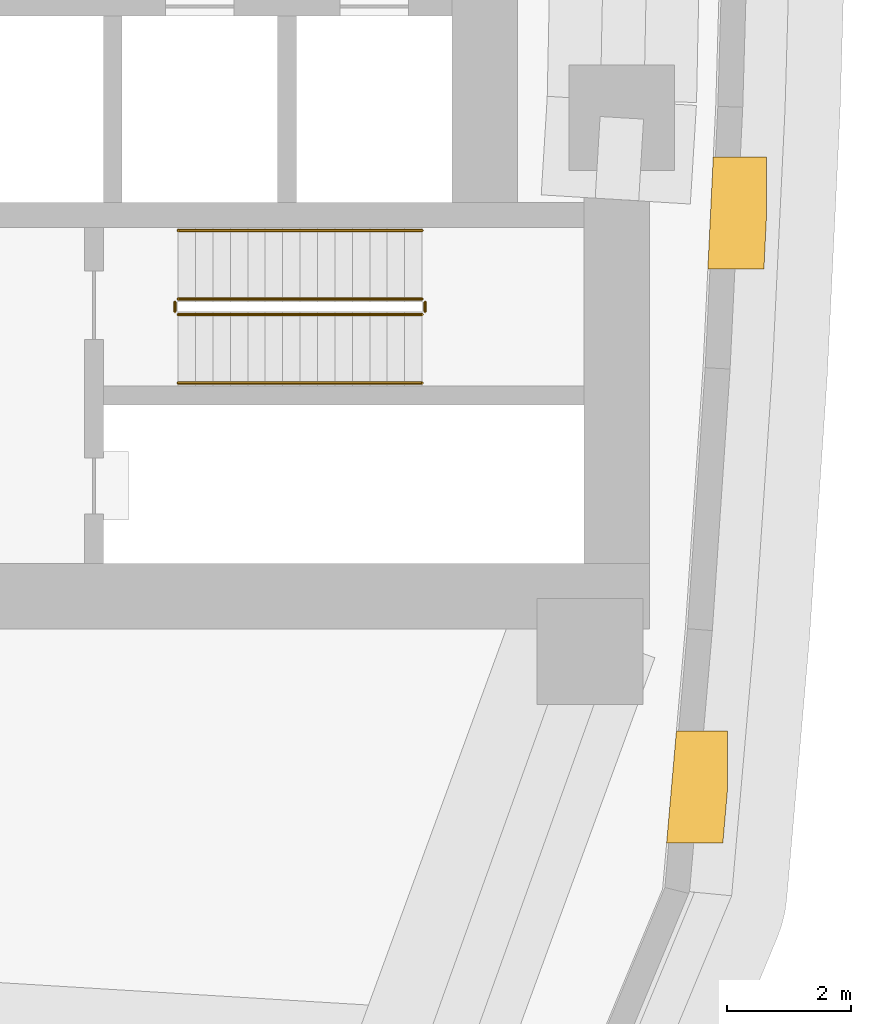
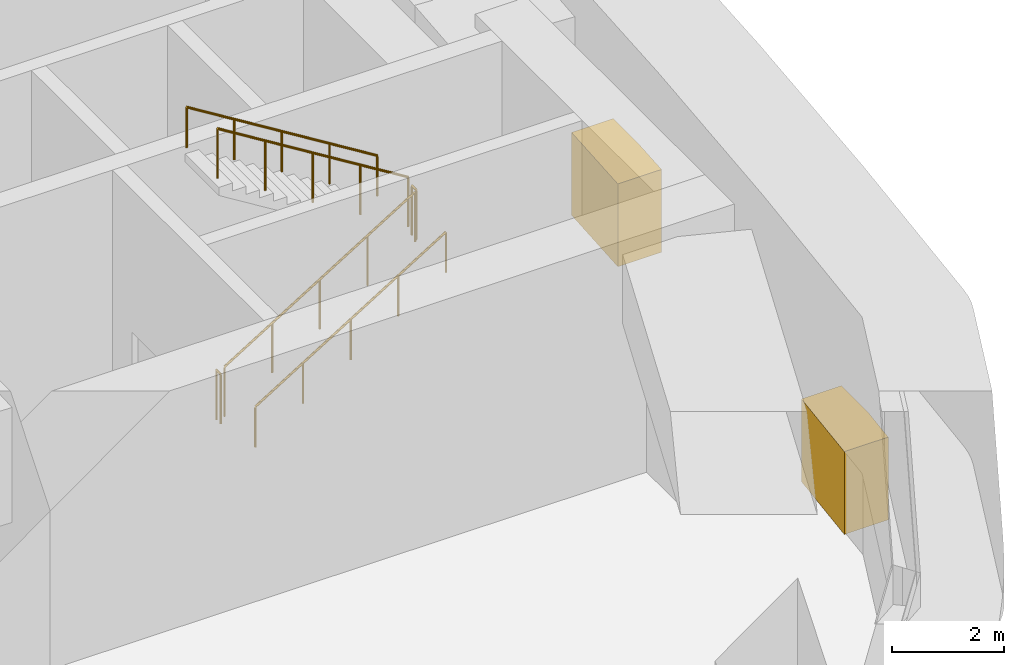
# One storey, part 16 of 19: 6 railings, 2 coverings.
"""IFC4 building model written with IfcOpenShell, lengths in metres."""

from ifc_helpers import new_model, si_unit, direction, frame, origin, origin_2d, place, context, subcontext, project, spatial, polyline, circle, outline, extrude, material, layer, layer_set, type_object, element, save


model = new_model("IFC4")

# Units and contexts
model_context = context("Model", 3, precision=1e-05, world=origin(), true_north=direction((0.0, 1.0)))
body_context = subcontext(model_context, "Body", "Model", "MODEL_VIEW")
ifc_project = project(units=[si_unit("LENGTHUNIT", "METRE"), si_unit("AREAUNIT", "SQUARE_METRE"), si_unit("VOLUMEUNIT", "CUBIC_METRE"), si_unit("PLANEANGLEUNIT", "RADIAN"), si_unit("MASSUNIT", "GRAM", prefix="KILO")], contexts=[model_context])

# Site, building, storey
site_placement = place(None, origin())
site = spatial("IfcSite", under=ifc_project, at=site_placement, CompositionType="ELEMENT")
building_placement = place(site_placement, origin())
building = spatial("IfcBuilding", under=site, at=building_placement, Name="Ostrand Prow Hotel Tower", CompositionType="ELEMENT")
storey_placement = place(building_placement, frame((0.0, 0.0, 120.39990234375)))
storey = spatial("IfcBuildingStorey", under=building, at=storey_placement, Name="L29", CompositionType="ELEMENT", Elevation=120.39990234375)

# Coverings
ifc_material_1 = material(Name="Limestone cladding", Category="masonry")
ifc_layer = layer(ifc_material_1, 2.0)
ifc_layer_set = layer_set([ifc_layer], Name="Limestone cladding")
covering_type = type_object("IfcCoveringType", Name="Belt lip limestone", PredefinedType="CLADDING", material=ifc_layer_set)
covering_1_placement = place(storey_placement, origin())
element("IfcCovering", 1, at=covering_1_placement, inside=storey, type_object=covering_type, Name="Belt fin 9 L29", PredefinedType="CLADDING", context=body_context, shape_type="SweptSolid", body=[
    extrude(outline(polyline([(65.952392578125, -20.236083984375), (66.02734375, -19.375244140625), (66.02734375, -18.43603515625), (65.2060546875, -18.43603515625), (65.048828125, -20.236083984375), (65.952392578125, -20.236083984375)])), origin(), (0.0, 0.0, 1.0), 1.800048828125),
])
covering_2_placement = place(storey_placement, origin())
element("IfcCovering", 2, at=covering_2_placement, inside=storey, type_object=covering_type, Name="Belt fin 10 L29", PredefinedType="CLADDING", context=body_context, shape_type="SweptSolid", body=[
    extrude(outline(polyline([(66.611572265625, -11.02001953125), (66.654052734375, -10.141845703125), (66.654052734375, -9.22021484375), (65.797607421875, -9.22021484375), (65.710693359375, -11.02001953125), (66.611572265625, -11.02001953125)])), origin(), (0.0, 0.0, 1.0), 1.800048828125),
])

# Railings
ifc_material_2 = material(Name="Painted steel", Category="steel")
railing_type_1 = type_object("IfcRailingType", Name="Stair guard 1100", PredefinedType="GUARDRAIL", material=ifc_material_2)
railing_1_placement = place(storey_placement, frame((57.199951171875, -11.75, 0.17333984375)))
element("IfcRailing", 3, at=railing_1_placement, inside=storey, type_object=railing_type_1, Name="L29 ST2C stair guard 1", PredefinedType="GUARDRAIL", context=body_context, shape_type="SweptSolid", body=[
    extrude(circle(Radius=0.02392578125, at=origin_2d()), frame((0.0, 0.0, 1.076171875), z_axis=(0.850266275192, 0.0, 0.526352791643), x_axis=(0.0, 1.0, 0.0)), (0.0, 0.0, 1.0), 4.610595703125),
    extrude(circle(Radius=0.02099609375, at=origin_2d()), origin(), (0.0, 0.0, 1.0), 1.052001953125),
    extrude(circle(Radius=0.02099609375, at=origin_2d()), frame((0.97998046875, 0.0, 0.606689453125)), (0.0, 0.0, 1.0), 1.052001953125),
    extrude(circle(Radius=0.02099609375, at=origin_2d()), frame((1.9599609375, 0.0, 1.21337890625)), (0.0, 0.0, 1.0), 1.052001953125),
    extrude(circle(Radius=0.02099609375, at=origin_2d()), frame((2.940185546875, 0.0, 1.820068359375)), (0.0, 0.0, 1.0), 1.052001953125),
    extrude(circle(Radius=0.02099609375, at=origin_2d()), frame((3.920166015625, 0.0, 2.4267578125)), (0.0, 0.0, 1.0), 1.052001953125),
])
railing_2_placement = place(storey_placement, frame((61.169921875, -11.699951171875, 2.60009765625)))
element("IfcRailing", 4, at=railing_2_placement, inside=storey, type_object=railing_type_1, Name="L29 ST2C stair guard 2", PredefinedType="GUARDRAIL", context=body_context, shape_type="SweptSolid", body=[
    extrude(circle(Radius=0.02392578125, at=origin_2d()), frame((0.0, 0.0, 1.076171875), z_axis=(0.0, 1.0, 0.0), x_axis=(-1.0, 0.0, 0.0)), (0.0, 0.0, 1.0), 0.14990234375),
    extrude(circle(Radius=0.02099609375, at=origin_2d()), origin(), (0.0, 0.0, 1.0), 1.052001953125),
    extrude(circle(Radius=0.02099609375, at=origin_2d()), frame((0.0, 0.14990234375, 0.0)), (0.0, 0.0, 1.0), 1.052001953125),
])
railing_3_placement = place(storey_placement, frame((61.1201171875, -11.5, 2.7734375)))
element("IfcRailing", 5, at=railing_3_placement, inside=storey, type_object=railing_type_1, Name="L29 ST2C stair guard 3", PredefinedType="GUARDRAIL", context=body_context, shape_type="SweptSolid", body=[
    extrude(circle(Radius=0.02392578125, at=origin_2d()), frame((0.0, 0.0, 1.076171875), z_axis=(-0.850266275192, 0.0, 0.526352791643), x_axis=(0.0, -1.0, 0.0)), (0.0, 0.0, 1.0), 4.610595703125),
    extrude(circle(Radius=0.02099609375, at=origin_2d()), origin(), (0.0, 0.0, 1.0), 1.052001953125),
    extrude(circle(Radius=0.02099609375, at=origin_2d()), frame((-0.97998046875, 0.0, 0.606689453125)), (0.0, 0.0, 1.0), 1.052001953125),
    extrude(circle(Radius=0.02099609375, at=origin_2d()), frame((-1.9599609375, 0.0, 1.21337890625)), (0.0, 0.0, 1.0), 1.052001953125),
    extrude(circle(Radius=0.02099609375, at=origin_2d()), frame((-2.940185546875, 0.0, 1.820068359375)), (0.0, 0.0, 1.0), 1.052001953125),
    extrude(circle(Radius=0.02099609375, at=origin_2d()), frame((-3.920166015625, 0.0, 2.4267578125)), (0.0, 0.0, 1.0), 1.052001953125),
])
railing_4_placement = place(storey_placement, frame((57.14990234375, -11.699951171875, 0.0)))
element("IfcRailing", 6, at=railing_4_placement, inside=storey, type_object=railing_type_1, Name="L29 ST2C stair guard 4", PredefinedType="GUARDRAIL", context=body_context, shape_type="SweptSolid", body=[
    extrude(circle(Radius=0.02392578125, at=origin_2d()), frame((0.0, 0.0, 1.076171875), z_axis=(0.0, 1.0, 0.0), x_axis=(-1.0, 0.0, 0.0)), (0.0, 0.0, 1.0), 0.14990234375),
    extrude(circle(Radius=0.02099609375, at=origin_2d()), origin(), (0.0, 0.0, 1.0), 1.052001953125),
    extrude(circle(Radius=0.02099609375, at=origin_2d()), frame((0.0, 0.14990234375, 0.0)), (0.0, 0.0, 1.0), 1.052001953125),
])
ifc_material_3 = material(Name="Stainless steel", Category="steel")
railing_type_2 = type_object("IfcRailingType", Name="Stair handrail 900", PredefinedType="HANDRAIL", material=ifc_material_3)
railing_5_placement = place(storey_placement, frame((57.199951171875, -12.85009765625, 0.17333984375)))
element("IfcRailing", 7, at=railing_5_placement, inside=storey, type_object=railing_type_2, Name="L29 ST2C stair handrail 1", PredefinedType="HANDRAIL", context=body_context, shape_type="SweptSolid", body=[
    extrude(circle(Radius=0.02392578125, at=origin_2d()), frame((0.0, 0.0, 0.8759765625), z_axis=(0.850266275192, 0.0, 0.526352791643), x_axis=(0.0, 1.0, 0.0)), (0.0, 0.0, 1.0), 4.610595703125),
    extrude(circle(Radius=0.02099609375, at=origin_2d()), origin(), (0.0, 0.0, 1.0), 0.851806640625),
    extrude(circle(Radius=0.02099609375, at=origin_2d()), frame((0.97998046875, 0.0, 0.606689453125)), (0.0, 0.0, 1.0), 0.851806640625),
    extrude(circle(Radius=0.02099609375, at=origin_2d()), frame((1.9599609375, 0.0, 1.21337890625)), (0.0, 0.0, 1.0), 0.851806640625),
    extrude(circle(Radius=0.02099609375, at=origin_2d()), frame((2.940185546875, 0.0, 1.820068359375)), (0.0, 0.0, 1.0), 0.851806640625),
    extrude(circle(Radius=0.02099609375, at=origin_2d()), frame((3.920166015625, 0.0, 2.4267578125)), (0.0, 0.0, 1.0), 0.851806640625),
])
railing_6_placement = place(storey_placement, frame((61.1201171875, -10.39990234375, 2.7734375)))
element("IfcRailing", 8, at=railing_6_placement, inside=storey, type_object=railing_type_2, Name="L29 ST2C stair handrail 2", PredefinedType="HANDRAIL", context=body_context, shape_type="SweptSolid", body=[
    extrude(circle(Radius=0.02392578125, at=origin_2d()), frame((0.0, 0.0, 0.8759765625), z_axis=(-0.850266275192, 0.0, 0.526352791643), x_axis=(0.0, -1.0, 0.0)), (0.0, 0.0, 1.0), 4.610595703125),
    extrude(circle(Radius=0.02099609375, at=origin_2d()), origin(), (0.0, 0.0, 1.0), 0.851806640625),
    extrude(circle(Radius=0.02099609375, at=origin_2d()), frame((-0.97998046875, 0.0, 0.606689453125)), (0.0, 0.0, 1.0), 0.851806640625),
    extrude(circle(Radius=0.02099609375, at=origin_2d()), frame((-1.9599609375, 0.0, 1.21337890625)), (0.0, 0.0, 1.0), 0.851806640625),
    extrude(circle(Radius=0.02099609375, at=origin_2d()), frame((-2.940185546875, 0.0, 1.820068359375)), (0.0, 0.0, 1.0), 0.851806640625),
    extrude(circle(Radius=0.02099609375, at=origin_2d()), frame((-3.920166015625, 0.0, 2.4267578125)), (0.0, 0.0, 1.0), 0.851806640625),
])

save(model, "model.ifc")
